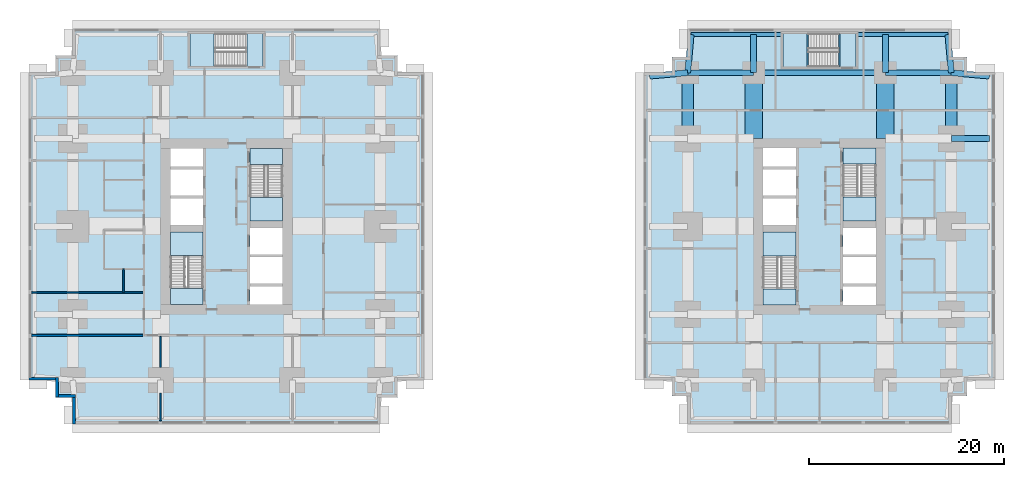
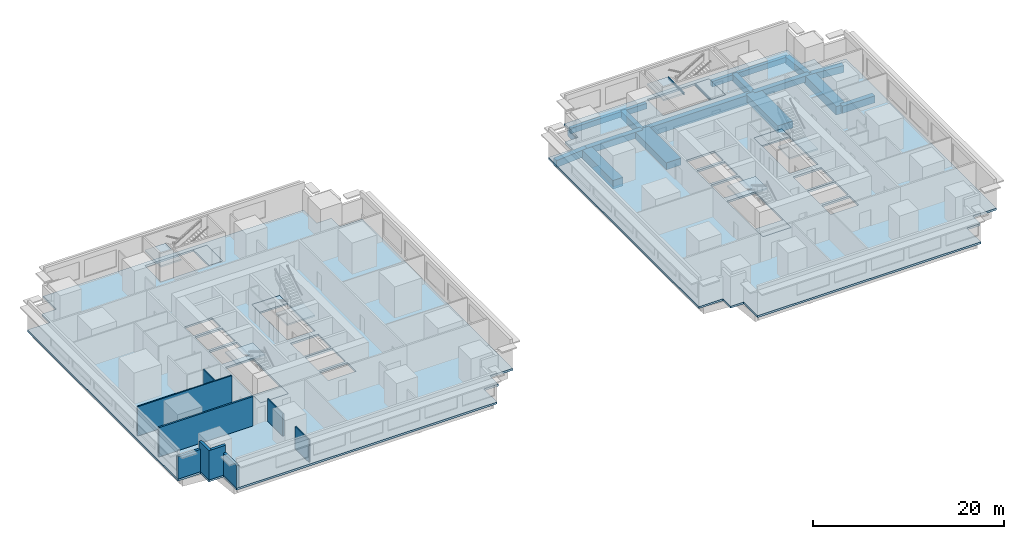
# One storey, part 2 of 12: 18 beams, 14 slabs, 9 walls, 6 elements without a shape of their own.
"""IFC4 building model written with IfcOpenShell, lengths in metres."""

from ifc_helpers import new_model, si_unit, direction, frame, frame_2d, origin, origin_2d, place, context, subcontext, project, spatial, polyline, rectangle, i_section, outline, extrude, material, layer, layer_set, material_profile, profile_set, type_object, element, aggregate, save


model = new_model("IFC4")

# Units and contexts
model_context = context("Model", 3, precision=1e-05, world=origin(), true_north=direction((0.0, 1.0)))
body_context = subcontext(model_context, "Body", "Model", "MODEL_VIEW")
ifc_project = project(units=[si_unit("LENGTHUNIT", "METRE"), si_unit("AREAUNIT", "SQUARE_METRE"), si_unit("VOLUMEUNIT", "CUBIC_METRE"), si_unit("PLANEANGLEUNIT", "RADIAN"), si_unit("MASSUNIT", "GRAM", prefix="KILO")], contexts=[model_context])

# Site, building, storey
site_placement = place(None, origin())
site = spatial("IfcSite", under=ifc_project, at=site_placement, CompositionType="ELEMENT")
building_placement = place(site_placement, origin())
building = spatial("IfcBuilding", under=site, at=building_placement, Name="Namib Vertical Campus", CompositionType="ELEMENT")
storey_placement = place(building_placement, frame((0.0, 0.0, 45.0)))
storey = spatial("IfcBuildingStorey", under=building, at=storey_placement, Name="L10", CompositionType="ELEMENT", Elevation=45.0)

# Beams
ifc_material_1 = material(Name="Concrete C40/50", Category="concrete")
ifc_material_profile_1 = material_profile(ifc_material_1, rectangle(XDim=0.60009765625, YDim=0.89990234375, at=origin_2d()))
ifc_profile_set_1 = profile_set([ifc_material_profile_1], Name="Concrete C40/50")
beam_type_1 = type_object("IfcBeamType", Name="Cantilever girder RC 600x900", PredefinedType="BEAM", material=ifc_profile_set_1)
beam_1_placement = place(storey_placement, frame((67.5, 36.0, -0.699951171875), z_axis=(0.089411326146, 0.995994786511, 0.0), x_axis=(-0.995994786511, 0.089411326146, 0.0)))
element("IfcBeam", 1, at=beam_1_placement, inside=storey, type_object=beam_type_1, Name="Beam B3 L10", PredefinedType="BEAM", context=body_context, shape_type="SweptSolid", body=[
    extrude(rectangle(XDim=0.60009765625, YDim=0.89990234375, at=origin_2d()), origin(), (0.0, 0.0, 1.0), 3.91552734375),
])
for number, where, z_axis, x_axis, name in (
    (2, (74.25, 36.0, -0.699951171875), (0.0, 1.0, 0.0), (-1.0, 0.0, 0.0), "Beam B3 L10"),
    (3, (87.75, 36.0, -0.699951171875), (0.0, 1.0, 0.0), (-1.0, 0.0, 0.0), "Beam B3 L10"),
):
    element("IfcBeam", number, at=place(storey_placement, frame(where, z_axis=z_axis, x_axis=x_axis)), inside=storey, type_object=beam_type_1, Name=name, PredefinedType="BEAM", context=body_context, shape_type="SweptSolid", body=[
        extrude(rectangle(XDim=0.60009765625, YDim=0.89990234375, at=origin_2d()), origin(), (0.0, 0.0, 1.0), 3.89990234375),
    ])
for number, where, z_axis, x_axis, name in (
    (4, (94.5, 36.0, -0.699951171875), (-0.089411326146, 0.995994786511, 0.0), (-0.995994786511, -0.089411326146, 0.0), "Beam B3 L10"),
    (5, (67.5, 36.0, -0.699951171875), (-0.995994786511, -0.089411326146, 0.0), (0.089411326146, -0.995994786511, 0.0), "Beam B3 L10"),
):
    element("IfcBeam", number, at=place(storey_placement, frame(where, z_axis=z_axis, x_axis=x_axis)), inside=storey, type_object=beam_type_1, Name=name, PredefinedType="BEAM", context=body_context, shape_type="SweptSolid", body=[
        extrude(rectangle(XDim=0.60009765625, YDim=0.89990234375, at=origin_2d()), origin(), (0.0, 0.0, 1.0), 3.91552734375),
    ])
beam_2_placement = place(storey_placement, frame((94.5, 29.25, -0.699951171875), z_axis=(1.0, 0.0, 0.0), x_axis=(0.0, 1.0, 0.0)))
element("IfcBeam", 6, at=beam_2_placement, inside=storey, type_object=beam_type_1, Name="Beam B3 L10", PredefinedType="BEAM", context=body_context, shape_type="SweptSolid", body=[
    extrude(rectangle(XDim=0.60009765625, YDim=0.89990234375, at=origin_2d()), origin(), (0.0, 0.0, 1.0), 3.89990234375),
])
beam_3_placement = place(storey_placement, frame((94.5, 36.0, -0.699951171875), z_axis=(0.995994786511, -0.089411326146, 0.0), x_axis=(0.089411326146, 0.995994786511, 0.0)))
element("IfcBeam", 7, at=beam_3_placement, inside=storey, type_object=beam_type_1, Name="Beam B3 L10", PredefinedType="BEAM", context=body_context, shape_type="SweptSolid", body=[
    extrude(rectangle(XDim=0.60009765625, YDim=0.89990234375, at=origin_2d()), origin(), (0.0, 0.0, 1.0), 3.91552734375),
])
ifc_material_2 = material(Name="Concrete C40/50", Category="concrete")
ifc_material_profile_2 = material_profile(ifc_material_2, rectangle(XDim=0.39990234375, YDim=0.699951171875, at=origin_2d()))
ifc_profile_set_2 = profile_set([ifc_material_profile_2], Name="Concrete C40/50")
beam_type_2 = type_object("IfcBeamType", Name="Edge beam RC 400x700", PredefinedType="SPANDREL", material=ifc_profile_set_2)
for number, where, z_axis, x_axis, name in (
    (8, (67.85009765625, 39.89990234375, -0.60009765625), (1.0, 0.0, 0.0), (0.0, 1.0, 0.0), "Beam B4 L10"),
    (9, (84.949951171875, 39.89990234375, -0.60009765625), (1.0, 0.0, 0.0), (0.0, 1.0, 0.0), "Beam B4 L10"),
):
    element("IfcBeam", number, at=place(storey_placement, frame(where, z_axis=z_axis, x_axis=x_axis)), inside=storey, type_object=beam_type_2, Name=name, PredefinedType="SPANDREL", context=body_context, shape_type="SweptSolid", body=[
        extrude(rectangle(XDim=0.39990234375, YDim=0.699951171875, at=origin_2d()), origin(), (0.0, 0.0, 1.0), 9.199951171875),
    ])
ifc_material_3 = material(Name="Concrete C40/50", Category="concrete")
ifc_material_profile_3 = material_profile(ifc_material_3, rectangle(XDim=1.199951171875, YDim=1.10009765625, at=origin_2d()))
ifc_profile_set_3 = profile_set([ifc_material_profile_3], Name="Concrete C40/50")
beam_type_3 = type_object("IfcBeamType", Name="Face ring beam RC 1200x1100", PredefinedType="BEAM", material=ifc_profile_set_3)
for number, where, z_axis, x_axis, name in (
    (10, (67.5, 29.25, -0.800048828125), (0.0, 1.0, 0.0), (-1.0, 0.0, 0.0), "Beam B11 L10"),
    (11, (94.5, 29.25, -0.800048828125), (0.0, 1.0, 0.0), (-1.0, 0.0, 0.0), "Beam B11 L10"),
):
    element("IfcBeam", number, at=place(storey_placement, frame(where, z_axis=z_axis, x_axis=x_axis)), inside=storey, type_object=beam_type_3, Name=name, PredefinedType="BEAM", context=body_context, shape_type="SweptSolid", body=[
        extrude(rectangle(XDim=1.199951171875, YDim=1.10009765625, at=origin_2d()), origin(), (0.0, 0.0, 1.0), 6.75),
    ])
ifc_material_4 = material(Name="Steel S355JR", Category="steel")
ifc_material_profile_4 = material_profile(ifc_material_4, i_section(OverallWidth=0.14599609375, OverallDepth=0.25146484375, WebThickness=0.006103515625, FlangeThickness=0.008544921875, FilletRadius=0.007568359375, at=origin_2d()))
ifc_profile_set_4 = profile_set([ifc_material_profile_4], Name="Steel S355JR")
beam_type_4 = type_object("IfcBeamType", Name="Landing trimmer UB 254x146x31", PredefinedType="BEAM", material=ifc_profile_set_4)
for number, where, z_axis, x_axis, name in (
    (12, (83.02294921875, 36.60009765625, -0.125732421875), (0.0, 1.0, 0.0), (-1.0, 0.0, 0.0), "Landing trimmer LT1 B-S3 L10 1"),
    (13, (79.796875, 36.60009765625, 1.874267578125), (0.0, 1.0, 0.0), (-1.0, 0.0, 0.0), "Landing trimmer LT1 B-S3 L10 2"),
):
    element("IfcBeam", number, at=place(storey_placement, frame(where, z_axis=z_axis, x_axis=x_axis)), inside=storey, type_object=beam_type_4, Name=name, PredefinedType="BEAM", context=body_context, shape_type="SweptSolid", body=[
        extrude(i_section(OverallWidth=0.14599609375, OverallDepth=0.25146484375, WebThickness=0.006103515625, FlangeThickness=0.008544921875, FilletRadius=0.007568359375, at=origin_2d()), origin(), (0.0, 0.0, 1.0), 3.39990234375),
    ])
ifc_material_5 = material(Name="Concrete C40/50", Category="concrete")
ifc_material_profile_5 = material_profile(ifc_material_5, rectangle(XDim=0.60009765625, YDim=1.199951171875, at=origin_2d()))
ifc_profile_set_5 = profile_set([ifc_material_profile_5], Name="Concrete C40/50")
beam_type_5 = type_object("IfcBeamType", Name="Long-span ring beam RC 600x1200", PredefinedType="BEAM", material=ifc_profile_set_5)
beam_4_placement = place(storey_placement, frame((74.25, 36.0, -0.85009765625), z_axis=(1.0, 0.0, 0.0), x_axis=(0.0, 1.0, 0.0)))
element("IfcBeam", 14, at=beam_4_placement, inside=storey, type_object=beam_type_5, Name="Beam B9 L10", PredefinedType="BEAM", context=body_context, shape_type="SweptSolid", body=[
    extrude(rectangle(XDim=0.60009765625, YDim=1.199951171875, at=origin_2d()), origin(), (0.0, 0.0, 1.0), 13.5),
])
ifc_material_6 = material(Name="Concrete C40/50", Category="concrete")
ifc_material_profile_6 = material_profile(ifc_material_6, rectangle(XDim=1.800048828125, YDim=0.89990234375, at=origin_2d()))
ifc_profile_set_6 = profile_set([ifc_material_profile_6], Name="Concrete C40/50")
beam_type_6 = type_object("IfcBeamType", Name="Outrigger line girder RC 1800x900", PredefinedType="BEAM", material=ifc_profile_set_6)
for number, where, z_axis, x_axis, name in (
    (15, (74.25, 36.0, -0.699951171875), (0.0, -1.0, 0.0), (1.0, 0.0, 0.0), "Beam B12 L10"),
    (16, (87.75, 36.0, -0.699951171875), (0.0, -1.0, 0.0), (1.0, 0.0, 0.0), "Beam B12 L10"),
):
    element("IfcBeam", number, at=place(storey_placement, frame(where, z_axis=z_axis, x_axis=x_axis)), inside=storey, type_object=beam_type_6, Name=name, PredefinedType="BEAM", context=body_context, shape_type="SweptSolid", body=[
        extrude(rectangle(XDim=1.800048828125, YDim=0.89990234375, at=origin_2d()), origin(), (0.0, 0.0, 1.0), 6.75),
    ])
ifc_material_7 = material(Name="Concrete C40/50", Category="concrete")
ifc_material_profile_7 = material_profile(ifc_material_7, rectangle(XDim=0.60009765625, YDim=0.800048828125, at=origin_2d()))
ifc_profile_set_7 = profile_set([ifc_material_profile_7], Name="Concrete C40/50")
beam_type_7 = type_object("IfcBeamType", Name="Ring beam RC 600x800", PredefinedType="BEAM", material=ifc_profile_set_7)
for number, where, z_axis, x_axis, name in (
    (17, (67.5, 36.0, -0.64990234375), (1.0, 0.0, 0.0), (0.0, 1.0, 0.0), "Beam B1 L10"),
    (18, (87.75, 36.0, -0.64990234375), (1.0, 0.0, 0.0), (0.0, 1.0, 0.0), "Beam B1 L10"),
):
    element("IfcBeam", number, at=place(storey_placement, frame(where, z_axis=z_axis, x_axis=x_axis)), inside=storey, type_object=beam_type_7, Name=name, PredefinedType="BEAM", context=body_context, shape_type="SweptSolid", body=[
        extrude(rectangle(XDim=0.60009765625, YDim=0.800048828125, at=origin_2d()), origin(), (0.0, 0.0, 1.0), 6.75),
    ])

# Slabs
ifc_material_8 = material(Name="Concrete C40/50", Category="concrete")
ifc_layer_1 = layer(ifc_material_8, 0.25)
ifc_layer_set_1 = layer_set([ifc_layer_1], Name="Concrete C40/50")
slab_type_1 = type_object("IfcSlabType", Name="Floor slab 250", PredefinedType="FLOOR", material=ifc_layer_set_1)
slab_1_placement = place(storey_placement, frame((0.0, 0.0, -0.25)))
element("IfcSlab", 19, at=slab_1_placement, inside=storey, type_object=slab_type_1, Name="Floor slab A L10", PredefinedType="FLOOR", context=body_context, shape_type="SweptSolid", body=[
    extrude(outline(polyline([(4.5, 0.0), (36.0, 0.0), (36.0, 2.75), (37.75, 2.75), (37.75, 4.5), (40.5, 4.5), (40.5, 36.0), (37.75, 36.0), (37.75, 37.75), (36.0, 37.75), (36.0, 40.5), (4.5, 40.5), (4.5, 37.75), (2.75, 37.75), (2.75, 36.0), (0.0, 36.0), (0.0, 4.5), (2.75, 4.5), (2.75, 2.75), (4.5, 2.75), (4.5, 0.0)]), holes=[polyline([(14.5, 12.25), (17.85009765625, 12.25), (17.85009765625, 19.699951171875), (14.5, 19.699951171875), (14.5, 12.25)]), polyline([(22.64990234375, 20.800048828125), (26.0, 20.800048828125), (26.0, 28.25), (22.64990234375, 28.25), (22.64990234375, 20.800048828125)]), polyline([(22.64990234375, 12.25), (26.0, 12.25), (26.0, 14.10009765625), (22.64990234375, 14.10009765625), (22.64990234375, 12.25)]), polyline([(14.5, 20.39990234375), (17.85009765625, 20.39990234375), (17.85009765625, 23.10009765625), (14.5, 23.10009765625), (14.5, 20.39990234375)]), polyline([(14.5, 23.39990234375), (17.85009765625, 23.39990234375), (17.85009765625, 26.10009765625), (14.5, 26.10009765625), (14.5, 23.39990234375)]), polyline([(14.5, 26.39990234375), (17.85009765625, 26.39990234375), (17.85009765625, 28.25), (14.5, 28.25), (14.5, 26.39990234375)]), polyline([(22.64990234375, 14.39990234375), (26.0, 14.39990234375), (26.0, 17.10009765625), (22.64990234375, 17.10009765625), (22.64990234375, 14.39990234375)]), polyline([(22.64990234375, 17.39990234375), (26.0, 17.39990234375), (26.0, 20.10009765625), (22.64990234375, 20.10009765625), (22.64990234375, 17.39990234375)]), polyline([(16.5, 36.64990234375), (24.0, 36.64990234375), (24.0, 40.0), (16.5, 40.0), (16.5, 36.64990234375)])]), origin(), (0.0, 0.0, 1.0), 0.25),
])
slab_2_placement = place(storey_placement, frame((0.0, 0.0, -0.25)))
element("IfcSlab", 20, at=slab_2_placement, inside=storey, type_object=slab_type_1, Name="Floor slab B L10", PredefinedType="FLOOR", context=body_context, shape_type="SweptSolid", body=[
    extrude(outline(polyline([(67.5, 0.0), (94.5, 0.0), (94.5, 2.89990234375), (96.10009765625, 2.89990234375), (96.10009765625, 4.5), (99.0, 4.5), (99.0, 36.0), (96.10009765625, 36.0), (96.10009765625, 37.60009765625), (94.5, 37.60009765625), (94.5, 40.5), (67.5, 40.5), (67.5, 37.60009765625), (65.89990234375, 37.60009765625), (65.89990234375, 36.0), (63.0, 36.0), (63.0, 4.5), (65.89990234375, 4.5), (65.89990234375, 2.89990234375), (67.5, 2.89990234375), (67.5, 0.0)]), holes=[polyline([(75.199951171875, 12.199951171875), (78.60009765625, 12.199951171875), (78.60009765625, 19.699951171875), (75.199951171875, 19.699951171875), (75.199951171875, 12.199951171875)]), polyline([(83.39990234375, 20.800048828125), (86.800048828125, 20.800048828125), (86.800048828125, 28.300048828125), (83.39990234375, 28.300048828125), (83.39990234375, 20.800048828125)]), polyline([(83.39990234375, 12.199951171875), (86.800048828125, 12.199951171875), (86.800048828125, 14.10009765625), (83.39990234375, 14.10009765625), (83.39990234375, 12.199951171875)]), polyline([(75.199951171875, 20.39990234375), (78.60009765625, 20.39990234375), (78.60009765625, 23.10009765625), (75.199951171875, 23.10009765625), (75.199951171875, 20.39990234375)]), polyline([(75.199951171875, 23.39990234375), (78.60009765625, 23.39990234375), (78.60009765625, 26.10009765625), (75.199951171875, 26.10009765625), (75.199951171875, 23.39990234375)]), polyline([(75.199951171875, 26.39990234375), (78.60009765625, 26.39990234375), (78.60009765625, 28.300048828125), (75.199951171875, 28.300048828125), (75.199951171875, 26.39990234375)]), polyline([(83.39990234375, 14.39990234375), (86.800048828125, 14.39990234375), (86.800048828125, 17.10009765625), (83.39990234375, 17.10009765625), (83.39990234375, 14.39990234375)]), polyline([(83.39990234375, 17.39990234375), (86.800048828125, 17.39990234375), (86.800048828125, 20.10009765625), (83.39990234375, 20.10009765625), (83.39990234375, 17.39990234375)]), polyline([(77.25, 36.60009765625), (84.75, 36.60009765625), (84.75, 40.0), (77.25, 40.0), (77.25, 36.60009765625)])]), origin(), (0.0, 0.0, 1.0), 0.25),
])

# Stair, slabs
ifc_material_9 = material(Name="Concrete C40/50 precast", Category="concrete")
stair_type_1 = type_object("IfcStairType", Name="Exit stair 4000 rise 24 risers 3350 wide", PredefinedType="HALF_TURN_STAIR", material=ifc_material_9)
stair_1_placement = place(storey_placement, origin())
stair_1 = element("IfcStair", 21, at=stair_1_placement, inside=storey, type_object=stair_type_1, Name="Exit stair A-S1 L10", PredefinedType="HALF_TURN_STAIR")
ifc_material_10 = material(Name="Concrete C40/50", Category="concrete")
ifc_layer_2 = layer(ifc_material_10, 0.199951171875)
ifc_layer_set_2 = layer_set([ifc_layer_2], Name="Concrete C40/50")
slab_type_2 = type_object("IfcSlabType", Name="Stair landing 200", PredefinedType="LANDING", material=ifc_layer_set_2)
slab_3_placement = place(storey_placement, frame((0.0, 0.0, -0.199951171875)))
slab_3 = element("IfcSlab", 22, at=slab_3_placement, type_object=slab_type_2, Name="A-S1 landing 1", PredefinedType="LANDING", context=body_context, shape_type="SweptSolid", body=[
    extrude(outline(polyline([(14.5, 12.25), (17.85009765625, 12.25), (17.85009765625, 13.90380859375), (14.5, 13.90380859375), (14.5, 12.25)])), origin(), (0.0, 0.0, 1.0), 0.199951171875),
])
slab_4_placement = place(storey_placement, frame((0.0, 0.0, 1.800048828125)))
slab_4 = element("IfcSlab", 23, at=slab_4_placement, type_object=slab_type_2, Name="A-S1 landing 2", PredefinedType="LANDING", context=body_context, shape_type="SweptSolid", body=[
    extrude(outline(polyline([(14.5, 17.276123046875), (17.85009765625, 17.276123046875), (17.85009765625, 19.699951171875), (14.5, 19.699951171875), (14.5, 17.276123046875)])), origin(), (0.0, 0.0, 1.0), 0.199951171875),
])
aggregate(stair_1, [slab_3, slab_4])

stair_2_placement = place(storey_placement, origin())
stair_2 = element("IfcStair", 24, at=stair_2_placement, inside=storey, type_object=stair_type_1, Name="Exit stair A-S2 L10", PredefinedType="HALF_TURN_STAIR")
slab_5_placement = place(storey_placement, frame((0.0, 0.0, -0.199951171875)))
slab_5 = element("IfcSlab", 25, at=slab_5_placement, type_object=slab_type_2, Name="A-S2 landing 1", PredefinedType="LANDING", context=body_context, shape_type="SweptSolid", body=[
    extrude(outline(polyline([(22.64990234375, 26.59619140625), (26.0, 26.59619140625), (26.0, 28.25), (22.64990234375, 28.25), (22.64990234375, 26.59619140625)])), origin(), (0.0, 0.0, 1.0), 0.199951171875),
])
slab_6_placement = place(storey_placement, frame((0.0, 0.0, 1.800048828125)))
slab_6 = element("IfcSlab", 26, at=slab_6_placement, type_object=slab_type_2, Name="A-S2 landing 2", PredefinedType="LANDING", context=body_context, shape_type="SweptSolid", body=[
    extrude(outline(polyline([(22.64990234375, 20.800048828125), (26.0, 20.800048828125), (26.0, 23.223876953125), (22.64990234375, 23.223876953125), (22.64990234375, 20.800048828125)])), origin(), (0.0, 0.0, 1.0), 0.199951171875),
])
aggregate(stair_2, [slab_5, slab_6])

ifc_material_11 = material(Name="Concrete C40/50 precast", Category="concrete")
stair_type_2 = type_object("IfcStairType", Name="Exit stair 4000 rise 24 risers 3400 wide", PredefinedType="HALF_TURN_STAIR", material=ifc_material_11)
stair_3_placement = place(storey_placement, origin())
stair_3 = element("IfcStair", 27, at=stair_3_placement, inside=storey, type_object=stair_type_2, Name="Exit stair B-S1 L10", PredefinedType="HALF_TURN_STAIR")
slab_7_placement = place(storey_placement, frame((0.0, 0.0, -0.199951171875)))
slab_7 = element("IfcSlab", 28, at=slab_7_placement, type_object=slab_type_2, Name="B-S1 landing 1", PredefinedType="LANDING", context=body_context, shape_type="SweptSolid", body=[
    extrude(outline(polyline([(75.199951171875, 12.199951171875), (78.60009765625, 12.199951171875), (78.60009765625, 13.85400390625), (75.199951171875, 13.85400390625), (75.199951171875, 12.199951171875)])), origin(), (0.0, 0.0, 1.0), 0.199951171875),
])
slab_8_placement = place(storey_placement, frame((0.0, 0.0, 1.800048828125)))
slab_8 = element("IfcSlab", 29, at=slab_8_placement, type_object=slab_type_2, Name="B-S1 landing 2", PredefinedType="LANDING", context=body_context, shape_type="SweptSolid", body=[
    extrude(outline(polyline([(75.199951171875, 17.22607421875), (78.60009765625, 17.22607421875), (78.60009765625, 19.699951171875), (75.199951171875, 19.699951171875), (75.199951171875, 17.22607421875)])), origin(), (0.0, 0.0, 1.0), 0.199951171875),
])
aggregate(stair_3, [slab_7, slab_8])

stair_4_placement = place(storey_placement, origin())
stair_4 = element("IfcStair", 30, at=stair_4_placement, inside=storey, type_object=stair_type_2, Name="Exit stair B-S2 L10", PredefinedType="HALF_TURN_STAIR")
slab_9_placement = place(storey_placement, frame((0.0, 0.0, -0.199951171875)))
slab_9 = element("IfcSlab", 31, at=slab_9_placement, type_object=slab_type_2, Name="B-S2 landing 1", PredefinedType="LANDING", context=body_context, shape_type="SweptSolid", body=[
    extrude(outline(polyline([(83.39990234375, 26.64599609375), (86.800048828125, 26.64599609375), (86.800048828125, 28.300048828125), (83.39990234375, 28.300048828125), (83.39990234375, 26.64599609375)])), origin(), (0.0, 0.0, 1.0), 0.199951171875),
])
slab_10_placement = place(storey_placement, frame((0.0, 0.0, 1.800048828125)))
slab_10 = element("IfcSlab", 32, at=slab_10_placement, type_object=slab_type_2, Name="B-S2 landing 2", PredefinedType="LANDING", context=body_context, shape_type="SweptSolid", body=[
    extrude(outline(polyline([(83.39990234375, 20.800048828125), (86.800048828125, 20.800048828125), (86.800048828125, 23.27392578125), (83.39990234375, 23.27392578125), (83.39990234375, 20.800048828125)])), origin(), (0.0, 0.0, 1.0), 0.199951171875),
])
aggregate(stair_4, [slab_9, slab_10])

stair_5_placement = place(storey_placement, origin())
stair_5 = element("IfcStair", 33, at=stair_5_placement, inside=storey, type_object=stair_type_1, Name="Exit stair A-S3 L10", PredefinedType="HALF_TURN_STAIR")
slab_11_placement = place(storey_placement, frame((0.0, 0.0, -0.199951171875)))
slab_11 = element("IfcSlab", 34, at=slab_11_placement, type_object=slab_type_2, Name="A-S3 landing 1", PredefinedType="LANDING", context=body_context, shape_type="SweptSolid", body=[
    extrude(outline(polyline([(22.34619140625, 36.64990234375), (22.34619140625, 40.0), (24.0, 40.0), (24.0, 36.64990234375), (22.34619140625, 36.64990234375)])), origin(), (0.0, 0.0, 1.0), 0.199951171875),
])
slab_12_placement = place(storey_placement, frame((0.0, 0.0, 1.800048828125)))
slab_12 = element("IfcSlab", 35, at=slab_12_placement, type_object=slab_type_2, Name="A-S3 landing 2", PredefinedType="LANDING", context=body_context, shape_type="SweptSolid", body=[
    extrude(outline(polyline([(16.5, 36.64990234375), (16.5, 40.0), (18.973876953125, 40.0), (18.973876953125, 36.64990234375), (16.5, 36.64990234375)])), origin(), (0.0, 0.0, 1.0), 0.199951171875),
])
aggregate(stair_5, [slab_11, slab_12])

stair_6_placement = place(storey_placement, origin())
stair_6 = element("IfcStair", 36, at=stair_6_placement, inside=storey, type_object=stair_type_2, Name="Exit stair B-S3 L10", PredefinedType="HALF_TURN_STAIR")
slab_13_placement = place(storey_placement, frame((0.0, 0.0, -0.199951171875)))
slab_13 = element("IfcSlab", 37, at=slab_13_placement, type_object=slab_type_2, Name="B-S3 landing 1", PredefinedType="LANDING", context=body_context, shape_type="SweptSolid", body=[
    extrude(outline(polyline([(83.09619140625, 36.60009765625), (83.09619140625, 40.0), (84.75, 40.0), (84.75, 36.60009765625), (83.09619140625, 36.60009765625)])), origin(), (0.0, 0.0, 1.0), 0.199951171875),
])
slab_14_placement = place(storey_placement, frame((0.0, 0.0, 1.800048828125)))
slab_14 = element("IfcSlab", 38, at=slab_14_placement, type_object=slab_type_2, Name="B-S3 landing 2", PredefinedType="LANDING", context=body_context, shape_type="SweptSolid", body=[
    extrude(outline(polyline([(77.25, 36.60009765625), (77.25, 40.0), (79.723876953125, 40.0), (79.723876953125, 36.60009765625), (77.25, 36.60009765625)])), origin(), (0.0, 0.0, 1.0), 0.199951171875),
])
aggregate(stair_6, [slab_13, slab_14])

# Walls
ifc_material_12 = material(Name="Concrete masonry", Category="masonry")
ifc_layer_3 = layer(ifc_material_12, 0.199951171875)
ifc_layer_set_3 = layer_set([ifc_layer_3], Name="Corridor wall 200")
wall_type_1 = type_object("IfcWallType", Name="Corridor wall 200", PredefinedType="SOLIDWALL", material=ifc_layer_set_3)
wall_1_placement = place(storey_placement, frame((0.300048828125, 9.10009765625, 0.0), z_axis=(0.0, 0.0, 1.0), x_axis=(1.0, 0.0, 0.0)))
element("IfcWall", 39, at=wall_1_placement, inside=storey, type_object=wall_type_1, Name="Partition A L10 BSW", PredefinedType="SOLIDWALL", context=body_context, shape_type="SweptSolid", body=[
    extrude(rectangle(XDim=11.39990234375, YDim=0.199951171875, at=frame_2d((5.699951171875, 0.0))), origin(), (0.0, 0.0, 1.0), 3.75),
])
ifc_material_13 = material(Name="Concrete C40/50", Category="concrete")
ifc_layer_4 = layer(ifc_material_13, 0.300048828125)
ifc_layer_set_4 = layer_set([ifc_layer_4], Name="Concrete C40/50")
wall_type_2 = type_object("IfcWallType", Name="External wall 300 board-marked concrete", PredefinedType="STANDARD", material=ifc_layer_set_4)
wall_2_placement = place(storey_placement, frame((0.02001953125, 4.64990234375, 0.0), z_axis=(0.0, 0.0, 1.0), x_axis=(1.0, 0.0, 0.0)))
element("IfcWall", 40, at=wall_2_placement, inside=storey, type_object=wall_type_2, Name="External wall L10 F17", PredefinedType="STANDARD", context=body_context, shape_type="SweptSolid", body=[
    extrude(rectangle(XDim=3.010009765625, YDim=0.300048828125, at=frame_2d((1.5048828125, 0.0))), origin(), (0.0, 0.0, 1.0), 2.85009765625),
])
for number, where, z_axis, x_axis, name in (
    (41, (2.89990234375, 4.780029296875, 0.0), (0.0, 0.0, 1.0), (0.0, -1.0, 0.0), "External wall L10 F18"),
    (42, (2.77001953125, 2.89990234375, 0.0), (0.0, 0.0, 1.0), (1.0, 0.0, 0.0), "External wall L10 F19"),
):
    element("IfcWall", number, at=place(storey_placement, frame(where, z_axis=z_axis, x_axis=x_axis)), inside=storey, type_object=wall_type_2, Name=name, PredefinedType="STANDARD", context=body_context, shape_type="SweptSolid", body=[
        extrude(rectangle(XDim=2.010009765625, YDim=0.300048828125, at=frame_2d((1.0048828125, 0.0))), origin(), (0.0, 0.0, 1.0), 3.75),
    ])
wall_3_placement = place(storey_placement, frame((4.64990234375, 3.030029296875, 0.0), z_axis=(0.0, 0.0, 1.0), x_axis=(0.0, -1.0, 0.0)))
element("IfcWall", 43, at=wall_3_placement, inside=storey, type_object=wall_type_2, Name="External wall L10 F20", PredefinedType="STANDARD", context=body_context, shape_type="SweptSolid", body=[
    extrude(rectangle(XDim=3.010009765625, YDim=0.300048828125, at=frame_2d((1.5048828125, 0.0))), origin(), (0.0, 0.0, 1.0), 2.85009765625),
])
ifc_material_14 = material(Name="Gypsum board on steel studs", Category="steel")
ifc_layer_5 = layer(ifc_material_14, 0.14990234375)
ifc_layer_set_5 = layer_set([ifc_layer_5], Name="Gypsum board on steel studs")
wall_type_3 = type_object("IfcWallType", Name="Partition 150", PredefinedType="PARTITIONING", material=ifc_layer_set_5)
wall_4_placement = place(storey_placement, frame((13.5, 0.300048828125, 0.0), z_axis=(0.0, 0.0, 1.0), x_axis=(0.0, 1.0, 0.0)))
element("IfcWall", 44, at=wall_4_placement, inside=storey, type_object=wall_type_3, Name="Partition A L10 PS1", PredefinedType="PARTITIONING", context=body_context, shape_type="SweptSolid", body=[
    extrude(rectangle(XDim=2.8798828125, YDim=0.14990234375, at=frame_2d((1.43994140625, 0.0))), origin(), (0.0, 0.0, 1.0), 2.85009765625),
])
wall_5_placement = place(storey_placement, frame((13.5, 5.820068359375, 0.0), z_axis=(0.0, 0.0, 1.0), x_axis=(0.0, 1.0, 0.0)))
element("IfcWall", 45, at=wall_5_placement, inside=storey, type_object=wall_type_3, Name="Partition A L10 PS1", PredefinedType="PARTITIONING", context=body_context, shape_type="SweptSolid", body=[
    extrude(rectangle(XDim=3.179931640625, YDim=0.14990234375, at=frame_2d((1.58984375, 0.0))), origin(), (0.0, 0.0, 1.0), 2.85009765625),
])
wall_6_placement = place(storey_placement, frame((0.300048828125, 13.5, 0.0), z_axis=(0.0, 0.0, 1.0), x_axis=(1.0, 0.0, 0.0)))
element("IfcWall", 46, at=wall_6_placement, inside=storey, type_object=wall_type_3, Name="Partition A L10 PW1", PredefinedType="PARTITIONING", context=body_context, shape_type="SweptSolid", body=[
    extrude(rectangle(XDim=11.39990234375, YDim=0.14990234375, at=frame_2d((5.699951171875, 0.0))), origin(), (0.0, 0.0, 1.0), 3.75),
])
wall_7_placement = place(storey_placement, frame((9.699951171875, 13.5, 0.0), z_axis=(0.0, 0.0, 1.0), x_axis=(0.0, 1.0, 0.0)))
element("IfcWall", 47, at=wall_7_placement, inside=storey, type_object=wall_type_3, Name="Partition A L10 WB1", PredefinedType="PARTITIONING", context=body_context, shape_type="SweptSolid", body=[
    extrude(rectangle(XDim=2.39990234375, YDim=0.14990234375, at=frame_2d((1.199951171875, 0.0))), origin(), (0.0, 0.0, 1.0), 3.75),
])

save(model, "model.ifc")
